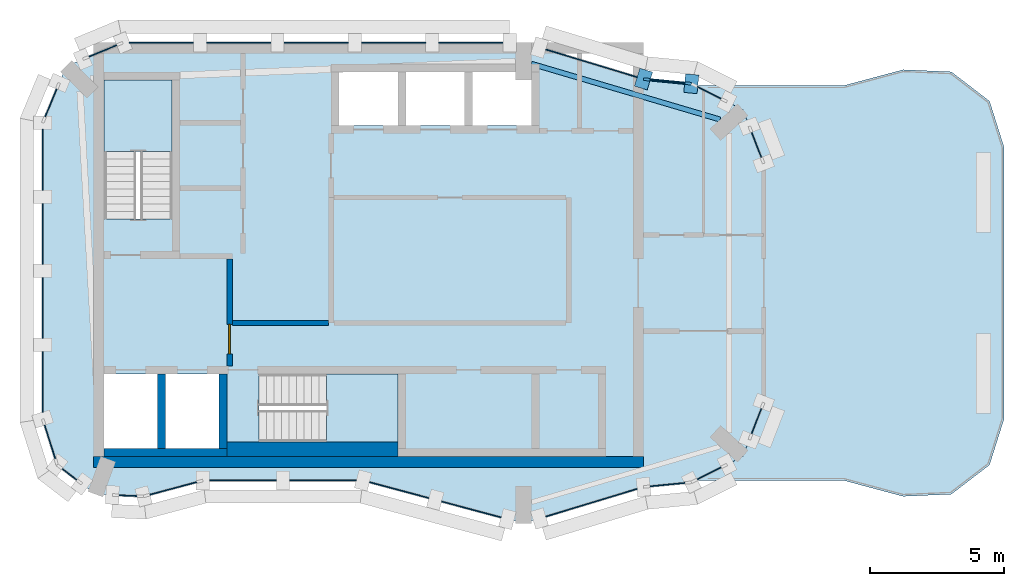
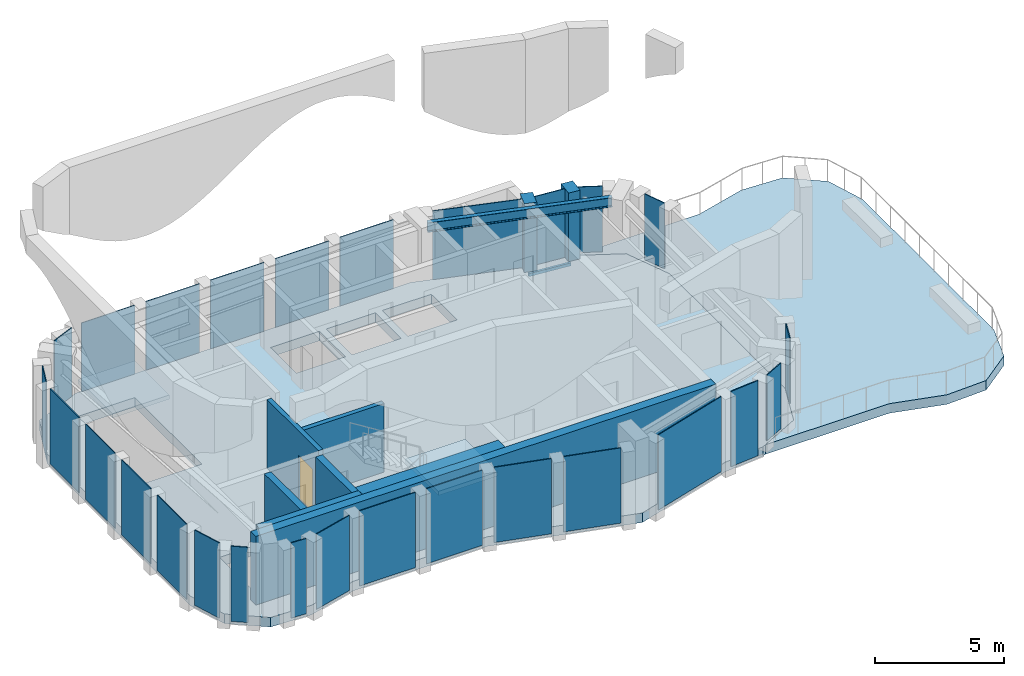
# One storey, part 2 of 7: 27 plates, 7 walls, 4 slabs, 3 members, 1 beam, 1 door, 1 opening, 20 elements without a shape of their own.
"""IFC4 building model written with IfcOpenShell, lengths in metres."""

from ifc_helpers import new_model, si_unit, direction, frame, frame_2d, origin, origin_2d, place, context, subcontext, project, spatial, polyline, rectangle, i_section, outline, extrude, material, layer, layer_set, material_profile, profile_set, type_object, element, fill, aggregate, save


model = new_model("IFC4")

# Units and contexts
model_context = context("Model", 3, precision=1e-05, world=origin(), true_north=direction((0.0, 1.0)))
body_context = subcontext(model_context, "Body", "Model", "MODEL_VIEW")
ifc_project = project(units=[si_unit("LENGTHUNIT", "METRE"), si_unit("AREAUNIT", "SQUARE_METRE"), si_unit("VOLUMEUNIT", "CUBIC_METRE"), si_unit("PLANEANGLEUNIT", "RADIAN"), si_unit("MASSUNIT", "GRAM", prefix="KILO")], contexts=[model_context])

# Site, building, storey
site_placement = place(None, origin())
site = spatial("IfcSite", under=ifc_project, at=site_placement, CompositionType="ELEMENT")
building_placement = place(site_placement, origin())
building = spatial("IfcBuilding", under=site, at=building_placement, Name="Plateau Cross Towers", CompositionType="ELEMENT")
storey_placement = place(building_placement, frame((0.0, 0.0, 301.89990234375)))
storey = spatial("IfcBuildingStorey", under=building, at=storey_placement, Name="L80 Crown 3", CompositionType="ELEMENT", Elevation=301.89990234375)

# Beam
ifc_material_1 = material(Name="Steel S355", Category="steel")
ifc_material_profile_1 = material_profile(ifc_material_1, i_section(OverallWidth=0.18994140625, OverallDepth=0.453369140625, WebThickness=0.008544921875, FlangeThickness=0.0126953125, FilletRadius=0.01025390625, at=origin_2d()), Name="UB 457x191x67")
ifc_profile_set_1 = profile_set([ifc_material_profile_1], Name="Steel S355")
beam_type = type_object("IfcBeamType", Name="Crown ring beam UB 457x191x67", PredefinedType="BEAM", material=ifc_profile_set_1)
beam_placement = place(storey_placement, frame((25.366455078125, 15.122314453125, 3.0234375), z_axis=(-0.958969404993, 0.283509577064, 0.0), x_axis=(-0.283509577064, -0.958969404993, 0.0)))
element("IfcBeam", 1, at=beam_placement, inside=storey, type_object=beam_type, Name="CRB-L80 Crown 3-03", PredefinedType="BEAM", context=body_context, shape_type="SweptSolid", body=[
    extrude(i_section(OverallWidth=0.18994140625, OverallDepth=0.453369140625, WebThickness=0.008544921875, FlangeThickness=0.0126953125, FilletRadius=0.01025390625, at=origin_2d()), origin(), (0.0, 0.0, 1.0), 7.36865234375),
])

# Curtain wall, member
ifc_material_2 = material(Name="Dark low-iron glass", Category="glass")
ifc_layer_1 = layer(ifc_material_2, 0.800048828125)
ifc_layer_set_1 = layer_set([ifc_layer_1], Name="Dark low-iron glass")
curtain_wall_type = type_object("IfcCurtainWallType", Name="Curtain wall sky lounge CW-D", PredefinedType="NOTDEFINED", material=ifc_layer_set_1)
curtain_wall_1_placement = place(storey_placement, origin())
curtain_wall_1 = element("IfcCurtainWall", 2, at=curtain_wall_1_placement, inside=storey, type_object=curtain_wall_type, Name="ENV/A/L80 Crown 3/A243_165", PredefinedType="NOTDEFINED")
ifc_material_3 = material(Name="Black anodised aluminium", Category="aluminium")
ifc_material_profile_2 = material_profile(ifc_material_3, rectangle(XDim=0.5, YDim=0.699951171875, at=origin_2d()), Name="MULLION 500x700")
ifc_profile_set_2 = profile_set([ifc_material_profile_2], Name="Black anodised aluminium")
member_type_1 = type_object("IfcMemberType", Name="Mullion 500x700 sky lounge", PredefinedType="MULLION", material=ifc_profile_set_2)
member_1_placement = place(storey_placement, frame((24.289794921875, 16.463134765625, -0.449951171875), z_axis=(0.0, 0.0, 1.0), x_axis=(-0.995322680406, 0.096606220658, 0.0)))
member_1 = element("IfcMember", 3, at=member_1_placement, type_object=member_type_1, Name="CW-D mullion 1", PredefinedType="MULLION", context=body_context, shape_type="SweptSolid", body=[
    extrude(rectangle(XDim=0.5, YDim=0.699951171875, at=origin_2d()), origin(), (0.0, 0.0, 1.0), 3.699951171875),
])

curtain_wall_2_placement = place(storey_placement, origin())
curtain_wall_2 = element("IfcCurtainWall", 4, at=curtain_wall_2_placement, inside=storey, type_object=curtain_wall_type, Name="ENV/A/L80 Crown 3/A225_166", PredefinedType="NOTDEFINED")
member_2_placement = place(storey_placement, frame((22.5, 16.63671875, -0.449951171875), z_axis=(0.0, 0.0, 1.0), x_axis=(-0.957048328724, 0.289928433386, 0.0)))
member_2 = element("IfcMember", 5, at=member_2_placement, type_object=member_type_1, Name="CW-D mullion 1", PredefinedType="MULLION", context=body_context, shape_type="SweptSolid", body=[
    extrude(rectangle(XDim=0.5, YDim=0.699951171875, at=origin_2d()), origin(), (0.0, 0.0, 1.0), 3.699951171875),
])

# Member
ifc_material_profile_3 = material_profile(ifc_material_3, rectangle(XDim=0.10009765625, YDim=0.139892578125, at=origin_2d()), Name="TRANSOM 100x140")
ifc_profile_set_3 = profile_set([ifc_material_profile_3], Name="Black anodised aluminium")
member_type_2 = type_object("IfcMemberType", Name="Transom 100x140 sky lounge", PredefinedType="USERDEFINED", material=ifc_profile_set_3)
member_3_placement = place(storey_placement, frame((24.289794921875, 16.463134765625, -0.3798828125), z_axis=(-0.995329836219, 0.096532466724, 0.0), x_axis=(-0.096532466724, -0.995329836219, 0.0)))
member_3 = element("IfcMember", 6, at=member_3_placement, type_object=member_type_2, Name="CW-D transom", ObjectType="TRANSOM", PredefinedType="USERDEFINED", context=body_context, shape_type="SweptSolid", body=[
    extrude(rectangle(XDim=0.10009765625, YDim=0.139892578125, at=origin_2d()), origin(), (0.0, 0.0, 1.0), 1.798095703125),
])

# Curtain wall, plate
curtain_wall_3_placement = place(storey_placement, origin())
curtain_wall_3 = element("IfcCurtainWall", 7, at=curtain_wall_3_placement, inside=storey, type_object=curtain_wall_type, Name="ENV/A/L80 Crown 3/A38_10", PredefinedType="NOTDEFINED")
ifc_layer_2 = layer(ifc_material_2, 0.0400390625)
ifc_layer_set_2 = layer_set([ifc_layer_2], Name="Dark low-iron glass")
plate_type = type_object("IfcPlateType", Name="Glass panel 40 sky lounge", PredefinedType="CURTAIN_PANEL", material=ifc_layer_set_2)
plate_1_placement = place(storey_placement, frame((4.887939453125, 1.30908203125, -0.309814453125), z_axis=(0.0, 0.0, 1.0), x_axis=(0.965957962328, 0.258699081978, 0.0)))
plate_1 = element("IfcPlate", 8, at=plate_1_placement, type_object=plate_type, Name="CW-D panel 1", PredefinedType="CURTAIN_PANEL", context=body_context, shape_type="SweptSolid", body=[
    extrude(rectangle(XDim=1.80224609375, YDim=0.0400390625, at=origin_2d()), origin(), (0.0, 0.0, 1.0), 3.56005859375),
])
aggregate(curtain_wall_3, [plate_1])

# Curtain wall, plates
curtain_wall_4_placement = place(storey_placement, origin())
curtain_wall_4 = element("IfcCurtainWall", 9, at=curtain_wall_4_placement, inside=storey, type_object=curtain_wall_type, Name="ENV/A/L80 Crown 3/A60_16", PredefinedType="NOTDEFINED")
plate_2_placement = place(storey_placement, frame((7.5, 1.60693359375, -0.309814453125), z_axis=(0.0, 0.0, 1.0), x_axis=(1.0, 0.0, 0.0)))
plate_2 = element("IfcPlate", 10, at=plate_2_placement, type_object=plate_type, Name="CW-D panel 1", PredefinedType="CURTAIN_PANEL", context=body_context, shape_type="SweptSolid", body=[
    extrude(rectangle(XDim=2.5, YDim=0.0400390625, at=origin_2d()), origin(), (0.0, 0.0, 1.0), 3.56005859375),
])
plate_3_placement = place(storey_placement, frame((10.5, 1.60693359375, -0.309814453125), z_axis=(0.0, 0.0, 1.0), x_axis=(1.0, 0.0, 0.0)))
plate_3 = element("IfcPlate", 11, at=plate_3_placement, type_object=plate_type, Name="CW-D panel 2", PredefinedType="CURTAIN_PANEL", context=body_context, shape_type="SweptSolid", body=[
    extrude(rectangle(XDim=2.5, YDim=0.0400390625, at=origin_2d()), origin(), (0.0, 0.0, 1.0), 3.56005859375),
])
aggregate(curtain_wall_4, [plate_2, plate_3])

curtain_wall_5_placement = place(storey_placement, origin())
curtain_wall_5 = element("IfcCurtainWall", 12, at=curtain_wall_5_placement, inside=storey, type_object=curtain_wall_type, Name="ENV/A/L80 Crown 3/A120_16", PredefinedType="NOTDEFINED")
plate_4_placement = place(storey_placement, frame((13.350830078125, 1.2451171875, -0.309814453125), z_axis=(0.0, 0.0, 1.0), x_axis=(0.965957983404, -0.258699003279, 0.0)))
plate_4 = element("IfcPlate", 13, at=plate_4_placement, type_object=plate_type, Name="CW-D panel 1", PredefinedType="CURTAIN_PANEL", context=body_context, shape_type="SweptSolid", body=[
    extrude(rectangle(XDim=2.296875, YDim=0.0400390625, at=origin_2d()), origin(), (0.0, 0.0, 1.0), 3.56005859375),
])
plate_5_placement = place(storey_placement, frame((16.05224609375, 0.521728515625, -0.309814453125), z_axis=(0.0, 0.0, 1.0), x_axis=(0.965957983404, -0.258699003279, 0.0)))
plate_5 = element("IfcPlate", 14, at=plate_5_placement, type_object=plate_type, Name="CW-D panel 2", PredefinedType="CURTAIN_PANEL", context=body_context, shape_type="SweptSolid", body=[
    extrude(rectangle(XDim=2.296875, YDim=0.0400390625, at=origin_2d()), origin(), (0.0, 0.0, 1.0), 3.56005859375),
])
aggregate(curtain_wall_5, [plate_4, plate_5])

# Curtain wall, plate
curtain_wall_6_placement = place(storey_placement, origin())
curtain_wall_6 = element("IfcCurtainWall", 15, at=curtain_wall_6_placement, inside=storey, type_object=curtain_wall_type, Name="ENV/A/L80 Crown 3/A186_2", PredefinedType="NOTDEFINED")
plate_6_placement = place(storey_placement, frame((20.552734375, 0.7734375, -0.309814453125), z_axis=(0.0, 0.0, 1.0), x_axis=(0.957048328724, 0.289928433386, 0.0)))
plate_6 = element("IfcPlate", 16, at=plate_6_placement, type_object=plate_type, Name="CW-D panel 1", PredefinedType="CURTAIN_PANEL", context=body_context, shape_type="SweptSolid", body=[
    extrude(rectangle(XDim=3.5693359375, YDim=0.0400390625, at=origin_2d()), origin(), (0.0, 0.0, 1.0), 3.56005859375),
])
aggregate(curtain_wall_6, [plate_6])

curtain_wall_7_placement = place(storey_placement, origin())
curtain_wall_7 = element("IfcCurtainWall", 17, at=curtain_wall_7_placement, inside=storey, type_object=curtain_wall_type, Name="ENV/A/L80 Crown 3/A225_14", PredefinedType="NOTDEFINED")
plate_7_placement = place(storey_placement, frame((23.39501953125, 1.4501953125, -0.309814453125), z_axis=(0.0, 0.0, 1.0), x_axis=(0.995322680406, 0.096606220658, 0.0)))
plate_7 = element("IfcPlate", 18, at=plate_7_placement, type_object=plate_type, Name="CW-D panel 1", PredefinedType="CURTAIN_PANEL", context=body_context, shape_type="SweptSolid", body=[
    extrude(rectangle(XDim=1.29833984375, YDim=0.0400390625, at=origin_2d()), origin(), (0.0, 0.0, 1.0), 3.56005859375),
])
aggregate(curtain_wall_7, [plate_7])

curtain_wall_8_placement = place(storey_placement, origin())
curtain_wall_8 = element("IfcCurtainWall", 19, at=curtain_wall_8_placement, inside=storey, type_object=curtain_wall_type, Name="ENV/A/L80 Crown 3/A243_15", PredefinedType="NOTDEFINED")
plate_8_placement = place(storey_placement, frame((24.956787109375, 1.871826171875, 0.14013671875), z_axis=(0.0, 0.0, 1.0), x_axis=(0.893702121293, 0.448660805505, 0.0)))
plate_8 = element("IfcPlate", 20, at=plate_8_placement, type_object=plate_type, Name="CW-D panel 1", PredefinedType="CURTAIN_PANEL", context=body_context, shape_type="SweptSolid", body=[
    extrude(rectangle(XDim=0.992431640625, YDim=0.0400390625, at=origin_2d()), origin(), (0.0, 0.0, 1.0), 3.110107421875),
])
aggregate(curtain_wall_8, [plate_8])

curtain_wall_9_placement = place(storey_placement, origin())
curtain_wall_9 = element("IfcCurtainWall", 21, at=curtain_wall_9_placement, inside=storey, type_object=curtain_wall_type, Name="ENV/A/L80 Crown 3/A265_31", PredefinedType="NOTDEFINED")
plate_9_placement = place(storey_placement, frame((26.731201171875, 3.82666015625, 0.14013671875), z_axis=(0.0, 0.0, 1.0), x_axis=(0.360225826244, 0.932865131789, 0.0)))
plate_9 = element("IfcPlate", 22, at=plate_9_placement, type_object=plate_type, Name="CW-D panel 1", PredefinedType="CURTAIN_PANEL", context=body_context, shape_type="SweptSolid", body=[
    extrude(rectangle(XDim=0.992431640625, YDim=0.0400390625, at=origin_2d()), origin(), (0.0, 0.0, 1.0), 3.110107421875),
])
aggregate(curtain_wall_9, [plate_9])

curtain_wall_10_placement = place(storey_placement, origin())
curtain_wall_10 = element("IfcCurtainWall", 23, at=curtain_wall_10_placement, inside=storey, type_object=curtain_wall_type, Name="ENV/A/L80 Crown 3/A270_135", PredefinedType="NOTDEFINED")
plate_10_placement = place(storey_placement, frame((26.731201171875, 14.17333984375, 0.14013671875), z_axis=(0.0, 0.0, 1.0), x_axis=(-0.360225826244, 0.932865131789, 0.0)))
plate_10 = element("IfcPlate", 24, at=plate_10_placement, type_object=plate_type, Name="CW-D panel 1", PredefinedType="CURTAIN_PANEL", context=body_context, shape_type="SweptSolid", body=[
    extrude(rectangle(XDim=0.992431640625, YDim=0.0400390625, at=origin_2d()), origin(), (0.0, 0.0, 1.0), 3.110107421875),
])
aggregate(curtain_wall_10, [plate_10])

curtain_wall_11_placement = place(storey_placement, origin())
curtain_wall_11 = element("IfcCurtainWall", 25, at=curtain_wall_11_placement, inside=storey, type_object=curtain_wall_type, Name="ENV/A/L80 Crown 3/A256_158", PredefinedType="NOTDEFINED")
plate_11_placement = place(storey_placement, frame((24.956787109375, 16.128173828125, 0.14013671875), z_axis=(0.0, 0.0, 1.0), x_axis=(-0.893702121293, 0.448660805505, 0.0)))
plate_11 = element("IfcPlate", 26, at=plate_11_placement, type_object=plate_type, Name="CW-D panel 1", PredefinedType="CURTAIN_PANEL", context=body_context, shape_type="SweptSolid", body=[
    extrude(rectangle(XDim=0.992431640625, YDim=0.0400390625, at=origin_2d()), origin(), (0.0, 0.0, 1.0), 3.110107421875),
])
aggregate(curtain_wall_11, [plate_11])

# Plate
plate_12_placement = place(storey_placement, frame((23.39501953125, 16.5498046875, -0.309814453125), z_axis=(0.0, 0.0, 1.0), x_axis=(-0.995322680406, 0.096606220658, 0.0)))
plate_12 = element("IfcPlate", 27, at=plate_12_placement, type_object=plate_type, Name="CW-D panel 1", PredefinedType="CURTAIN_PANEL", context=body_context, shape_type="SweptSolid", body=[
    extrude(rectangle(XDim=1.29833984375, YDim=0.0400390625, at=origin_2d()), origin(), (0.0, 0.0, 1.0), 3.56005859375),
])

aggregate(curtain_wall_1, [member_1, member_3, plate_12])

plate_13_placement = place(storey_placement, frame((20.552734375, 17.2265625, -0.309814453125), z_axis=(0.0, 0.0, 1.0), x_axis=(-0.957048328724, 0.289928433386, 0.0)))
plate_13 = element("IfcPlate", 28, at=plate_13_placement, type_object=plate_type, Name="CW-D panel 1", PredefinedType="CURTAIN_PANEL", context=body_context, shape_type="SweptSolid", body=[
    extrude(rectangle(XDim=3.5693359375, YDim=0.0400390625, at=origin_2d()), origin(), (0.0, 0.0, 1.0), 3.56005859375),
])

aggregate(curtain_wall_2, [member_2, plate_13])

# Curtain wall, plates
curtain_wall_12_placement = place(storey_placement, origin())
curtain_wall_12 = element("IfcCurtainWall", 29, at=curtain_wall_12_placement, inside=storey, type_object=curtain_wall_type, Name="ENV/A/L80 Crown 3/A175_180", PredefinedType="NOTDEFINED")
plate_14_placement = place(storey_placement, frame((16.03662109375, 18.0, -0.309814453125), z_axis=(0.0, 0.0, 1.0), x_axis=(-1.0, 0.0, 0.0)))
plate_14 = element("IfcPlate", 30, at=plate_14_placement, type_object=plate_type, Name="CW-D panel 1", PredefinedType="CURTAIN_PANEL", context=body_context, shape_type="SweptSolid", body=[
    extrude(rectangle(XDim=2.39697265625, YDim=0.0400390625, at=origin_2d()), origin(), (0.0, 0.0, 1.0), 3.56005859375),
])
plate_15_placement = place(storey_placement, frame((13.139404296875, 18.0, -0.309814453125), z_axis=(0.0, 0.0, 1.0), x_axis=(-1.0, 0.0, 0.0)))
plate_15 = element("IfcPlate", 31, at=plate_15_placement, type_object=plate_type, Name="CW-D panel 2", PredefinedType="CURTAIN_PANEL", context=body_context, shape_type="SweptSolid", body=[
    extrude(rectangle(XDim=2.39697265625, YDim=0.0400390625, at=origin_2d()), origin(), (0.0, 0.0, 1.0), 3.56005859375),
])
plate_16_placement = place(storey_placement, frame((10.242431640625, 18.0, -0.309814453125), z_axis=(0.0, 0.0, 1.0), x_axis=(-1.0, 0.0, 0.0)))
plate_16 = element("IfcPlate", 32, at=plate_16_placement, type_object=plate_type, Name="CW-D panel 3", PredefinedType="CURTAIN_PANEL", context=body_context, shape_type="SweptSolid", body=[
    extrude(rectangle(XDim=2.39697265625, YDim=0.0400390625, at=origin_2d()), origin(), (0.0, 0.0, 1.0), 3.56005859375),
])
plate_17_placement = place(storey_placement, frame((7.345458984375, 18.0, -0.309814453125), z_axis=(0.0, 0.0, 1.0), x_axis=(-1.0, 0.0, 0.0)))
plate_17 = element("IfcPlate", 33, at=plate_17_placement, type_object=plate_type, Name="CW-D panel 4", PredefinedType="CURTAIN_PANEL", context=body_context, shape_type="SweptSolid", body=[
    extrude(rectangle(XDim=2.39697265625, YDim=0.0400390625, at=origin_2d()), origin(), (0.0, 0.0, 1.0), 3.56005859375),
])
plate_18_placement = place(storey_placement, frame((4.448486328125, 18.0, -0.309814453125), z_axis=(0.0, 0.0, 1.0), x_axis=(-1.0, 0.0, 0.0)))
plate_18 = element("IfcPlate", 34, at=plate_18_placement, type_object=plate_type, Name="CW-D panel 5", PredefinedType="CURTAIN_PANEL", context=body_context, shape_type="SweptSolid", body=[
    extrude(rectangle(XDim=2.39697265625, YDim=0.0400390625, at=origin_2d()), origin(), (0.0, 0.0, 1.0), 3.56005859375),
])
aggregate(curtain_wall_12, [plate_14, plate_15, plate_16, plate_17, plate_18])

# Curtain wall, plate
curtain_wall_13_placement = place(storey_placement, origin())
curtain_wall_13 = element("IfcCurtainWall", 35, at=curtain_wall_13_placement, inside=storey, type_object=curtain_wall_type, Name="ENV/A/L80 Crown 3/A30_180", PredefinedType="NOTDEFINED")
plate_19_placement = place(storey_placement, frame((2.254150390625, 17.69091796875, -0.309814453125), z_axis=(0.0, 0.0, 1.0), x_axis=(-0.923879457699, -0.382683612978, 0.0)))
plate_19 = element("IfcPlate", 36, at=plate_19_placement, type_object=plate_type, Name="CW-D panel 1", PredefinedType="CURTAIN_PANEL", context=body_context, shape_type="SweptSolid", body=[
    extrude(rectangle(XDim=1.11474609375, YDim=0.0400390625, at=origin_2d()), origin(), (0.0, 0.0, 1.0), 3.56005859375),
])
aggregate(curtain_wall_13, [plate_19])

curtain_wall_14_placement = place(storey_placement, origin())
curtain_wall_14 = element("IfcCurtainWall", 37, at=curtain_wall_14_placement, inside=storey, type_object=curtain_wall_type, Name="ENV/A/L80 Crown 3/A6_165", PredefinedType="NOTDEFINED")
plate_20_placement = place(storey_placement, frame((0.30908203125, 15.745849609375, -0.309814453125), z_axis=(0.0, 0.0, 1.0), x_axis=(-0.382683612978, -0.923879457699, 0.0)))
plate_20 = element("IfcPlate", 38, at=plate_20_placement, type_object=plate_type, Name="CW-D panel 1", PredefinedType="CURTAIN_PANEL", context=body_context, shape_type="SweptSolid", body=[
    extrude(rectangle(XDim=1.11474609375, YDim=0.0400390625, at=origin_2d()), origin(), (0.0, 0.0, 1.0), 3.56005859375),
])
aggregate(curtain_wall_14, [plate_20])

# Curtain wall, plates
curtain_wall_15_placement = place(storey_placement, origin())
curtain_wall_15 = element("IfcCurtainWall", 39, at=curtain_wall_15_placement, inside=storey, type_object=curtain_wall_type, Name="ENV/A/L80 Crown 3/A0_150", PredefinedType="NOTDEFINED")
plate_21_placement = place(storey_placement, frame((0.0, 13.613525390625, -0.309814453125), z_axis=(0.0, 0.0, 1.0), x_axis=(0.0, -1.0, 0.0)))
plate_21 = element("IfcPlate", 40, at=plate_21_placement, type_object=plate_type, Name="CW-D panel 1", PredefinedType="CURTAIN_PANEL", context=body_context, shape_type="SweptSolid", body=[
    extrude(rectangle(XDim=2.272705078125, YDim=0.0400390625, at=origin_2d()), origin(), (0.0, 0.0, 1.0), 3.56005859375),
])
plate_22_placement = place(storey_placement, frame((0.0, 10.8408203125, -0.309814453125), z_axis=(0.0, 0.0, 1.0), x_axis=(0.0, -1.0, 0.0)))
plate_22 = element("IfcPlate", 41, at=plate_22_placement, type_object=plate_type, Name="CW-D panel 2", PredefinedType="CURTAIN_PANEL", context=body_context, shape_type="SweptSolid", body=[
    extrude(rectangle(XDim=2.272705078125, YDim=0.0400390625, at=origin_2d()), origin(), (0.0, 0.0, 1.0), 3.56005859375),
])
plate_23_placement = place(storey_placement, frame((0.0, 8.068115234375, -0.309814453125), z_axis=(0.0, 0.0, 1.0), x_axis=(0.0, -1.0, 0.0)))
plate_23 = element("IfcPlate", 42, at=plate_23_placement, type_object=plate_type, Name="CW-D panel 3", PredefinedType="CURTAIN_PANEL", context=body_context, shape_type="SweptSolid", body=[
    extrude(rectangle(XDim=2.272705078125, YDim=0.0400390625, at=origin_2d()), origin(), (0.0, 0.0, 1.0), 3.56005859375),
])
plate_24_placement = place(storey_placement, frame((0.0, 5.29541015625, -0.309814453125), z_axis=(0.0, 0.0, 1.0), x_axis=(0.0, -1.0, 0.0)))
plate_24 = element("IfcPlate", 43, at=plate_24_placement, type_object=plate_type, Name="CW-D panel 4", PredefinedType="CURTAIN_PANEL", context=body_context, shape_type="SweptSolid", body=[
    extrude(rectangle(XDim=2.272705078125, YDim=0.0400390625, at=origin_2d()), origin(), (0.0, 0.0, 1.0), 3.56005859375),
])
aggregate(curtain_wall_15, [plate_21, plate_22, plate_23, plate_24])

# Curtain wall, plate
curtain_wall_16_placement = place(storey_placement, origin())
curtain_wall_16 = element("IfcCurtainWall", 44, at=curtain_wall_16_placement, inside=storey, type_object=curtain_wall_type, Name="ENV/A/L80 Crown 3/A0_39", PredefinedType="NOTDEFINED")
plate_25_placement = place(storey_placement, frame((0.271240234375, 3.048828125, -0.309814453125), z_axis=(0.0, 0.0, 1.0), x_axis=(0.300686174994, -0.95372313811, 0.0)))
plate_25 = element("IfcPlate", 45, at=plate_25_placement, type_object=plate_type, Name="CW-D panel 1", PredefinedType="CURTAIN_PANEL", context=body_context, shape_type="SweptSolid", body=[
    extrude(rectangle(XDim=1.30419921875, YDim=0.0400390625, at=origin_2d()), origin(), (0.0, 0.0, 1.0), 3.56005859375),
])
aggregate(curtain_wall_16, [plate_25])

curtain_wall_17_placement = place(storey_placement, origin())
curtain_wall_17 = element("IfcCurtainWall", 46, at=curtain_wall_17_placement, inside=storey, type_object=curtain_wall_type, Name="ENV/A/L80 Crown 3/A5_22", PredefinedType="NOTDEFINED")
plate_26_placement = place(storey_placement, frame((1.005126953125, 1.83349609375, -0.309814453125), z_axis=(0.0, 0.0, 1.0), x_axis=(0.793315514529, -0.608810721331, 0.0)))
plate_26 = element("IfcPlate", 47, at=plate_26_placement, type_object=plate_type, Name="CW-D panel 1", PredefinedType="CURTAIN_PANEL", context=body_context, shape_type="SweptSolid", body=[
    extrude(rectangle(XDim=0.666259765625, YDim=0.0400390625, at=origin_2d()), origin(), (0.0, 0.0, 1.0), 3.56005859375),
])
aggregate(curtain_wall_17, [plate_26])

curtain_wall_18_placement = place(storey_placement, origin())
curtain_wall_18 = element("IfcCurtainWall", 48, at=curtain_wall_18_placement, inside=storey, type_object=curtain_wall_type, Name="ENV/A/L80 Crown 3/A26_11", PredefinedType="NOTDEFINED")
plate_27_placement = place(storey_placement, frame((3.193603515625, 1.036865234375, -0.309814453125), z_axis=(0.0, 0.0, 1.0), x_axis=(0.999043701491, -0.043722791671, 0.0)))
plate_27 = element("IfcPlate", 49, at=plate_27_placement, type_object=plate_type, Name="CW-D panel 1", PredefinedType="CURTAIN_PANEL", context=body_context, shape_type="SweptSolid", body=[
    extrude(rectangle(XDim=0.666259765625, YDim=0.0400390625, at=origin_2d()), origin(), (0.0, 0.0, 1.0), 3.56005859375),
])
aggregate(curtain_wall_18, [plate_27])

# Slabs
ifc_material_4 = material(Name="Concrete C40/50", Category="concrete")
ifc_layer_3 = layer(ifc_material_4, 0.449951171875)
ifc_layer_set_3 = layer_set([ifc_layer_3], Name="Concrete C40/50")
slab_type_1 = type_object("IfcSlabType", Name="Post-tensioned deck slab 450", PredefinedType="FLOOR", material=ifc_layer_set_3)
slab_1_placement = place(storey_placement, frame((0.0, 0.0, -0.449951171875)))
element("IfcSlab", 50, at=slab_1_placement, inside=storey, type_object=slab_type_1, Name="SL-A-terrace-3", PredefinedType="FLOOR", context=body_context, shape_type="SweptSolid", body=[
    extrude(outline(polyline([(34.0263671875, 16.909912109375), (35.45751953125, 15.8115234375), (36.0, 14.0908203125), (36.0, 3.9091796875), (35.45751953125, 2.1884765625), (34.0263671875, 1.090087890625), (32.223876953125, 1.01123046875), (30.0, 1.60693359375), (24.42919921875, 1.60693359375), (26.221435546875, 2.506591796875), (27.0, 4.52294921875), (27.0, 13.47705078125), (26.221435546875, 15.493408203125), (24.42919921875, 16.39306640625), (30.0, 16.39306640625), (32.223876953125, 16.98876953125), (34.0263671875, 16.909912109375)])), origin(), (0.0, 0.0, 1.0), 0.449951171875),
])
ifc_layer_4 = layer(ifc_material_4, 0.449951171875)
ifc_layer_set_4 = layer_set([ifc_layer_4], Name="Concrete C40/50")
slab_type_2 = type_object("IfcSlabType", Name="Post-tensioned flat plate slab 450", PredefinedType="FLOOR", material=ifc_layer_set_4)
slab_2_placement = place(storey_placement, frame((0.0, 0.0, -0.449951171875)))
element("IfcSlab", 51, at=slab_2_placement, inside=storey, type_object=slab_type_2, Name="SL-A-L80 Crown 3", PredefinedType="FLOOR", context=body_context, shape_type="SweptSolid", body=[
    extrude(outline(polyline([(1.9736328125, 1.090087890625), (0.54248046875, 2.1884765625), (0.0, 3.9091796875), (0.0, 15.0), (0.878662109375, 17.121337890625), (3.0, 18.0), (18.0, 18.0), (22.5, 16.63671875), (24.289794921875, 16.463134765625), (26.221435546875, 15.493408203125), (27.0, 13.47705078125), (27.0, 4.52294921875), (26.221435546875, 2.506591796875), (24.289794921875, 1.536865234375), (22.5, 1.36328125), (18.0, 0.0), (12.0, 1.60693359375), (6.0, 1.60693359375), (3.776123046875, 1.01123046875), (1.9736328125, 1.090087890625)]), holes=[polyline([(2.300048828125, 5.60009765625), (2.300048828125, 2.800048828125), (4.300048828125, 2.800048828125), (4.300048828125, 5.60009765625), (2.300048828125, 5.60009765625)]), polyline([(6.60009765625, 5.60009765625), (4.60009765625, 5.60009765625), (4.60009765625, 2.800048828125), (6.60009765625, 2.800048828125), (6.60009765625, 5.60009765625)]), polyline([(13.300048828125, 5.60009765625), (8.10009765625, 5.60009765625), (8.10009765625, 3.050048828125), (13.300048828125, 3.050048828125), (13.300048828125, 5.60009765625)]), polyline([(2.300048828125, 16.60009765625), (2.300048828125, 11.39990234375), (4.85009765625, 11.39990234375), (4.85009765625, 16.60009765625), (2.300048828125, 16.60009765625)]), polyline([(13.300048828125, 16.89990234375), (11.10009765625, 16.89990234375), (11.10009765625, 14.89990234375), (13.300048828125, 14.89990234375), (13.300048828125, 16.89990234375)]), polyline([(15.800048828125, 16.89990234375), (13.60009765625, 16.89990234375), (13.60009765625, 14.89990234375), (15.800048828125, 14.89990234375), (15.800048828125, 16.89990234375)]), polyline([(18.300048828125, 16.89990234375), (16.10009765625, 16.89990234375), (16.10009765625, 14.89990234375), (18.300048828125, 14.89990234375), (18.300048828125, 16.89990234375)])]), origin(), (0.0, 0.0, 1.0), 0.449951171875),
])

# Stair, slab
stair_type = type_object("IfcStairType", Name="ST-TWR", PredefinedType="HALF_TURN_STAIR", material=ifc_material_4)
stair_1_placement = place(storey_placement, origin())
stair_1 = element("IfcStair", 52, at=stair_1_placement, inside=storey, type_object=stair_type, Name="L80 Crown 3 Protected Exit Stair ST-1", PredefinedType="HALF_TURN_STAIR")
ifc_layer_5 = layer(ifc_material_4, 0.199951171875)
ifc_layer_set_5 = layer_set([ifc_layer_5], Name="Concrete C40/50")
slab_type_3 = type_object("IfcSlabType", Name="SL-LANDING", PredefinedType="LANDING", material=ifc_layer_set_5)
slab_3_placement = place(storey_placement, frame((0.0, 0.0, 1.550048828125)))
slab_3 = element("IfcSlab", 53, at=slab_3_placement, type_object=slab_type_3, Name="ST-1 landing 1", PredefinedType="LANDING", context=body_context, shape_type="SweptSolid", body=[
    extrude(outline(polyline([(4.85009765625, 13.919921875), (4.85009765625, 16.60009765625), (2.300048828125, 16.60009765625), (2.300048828125, 13.919921875), (4.85009765625, 13.919921875)])), origin(), (0.0, 0.0, 1.0), 0.199951171875),
])
aggregate(stair_1, [slab_3])

stair_2_placement = place(storey_placement, origin())
stair_2 = element("IfcStair", 54, at=stair_2_placement, inside=storey, type_object=stair_type, Name="L80 Crown 3 Protected Exit Stair ST-2", PredefinedType="HALF_TURN_STAIR")
slab_4_placement = place(storey_placement, frame((0.0, 0.0, 1.550048828125)))
slab_4 = element("IfcSlab", 55, at=slab_4_placement, type_object=slab_type_3, Name="ST-2 landing 1", PredefinedType="LANDING", context=body_context, shape_type="SweptSolid", body=[
    extrude(outline(polyline([(10.6201171875, 3.050048828125), (13.300048828125, 3.050048828125), (13.300048828125, 5.60009765625), (10.6201171875, 5.60009765625), (10.6201171875, 3.050048828125)])), origin(), (0.0, 0.0, 1.0), 0.199951171875),
])
aggregate(stair_2, [slab_4])

# Wall, opening, door
ifc_material_5 = material(Name="Concrete block, plastered both sides", Category="concrete")
ifc_layer_6 = layer(ifc_material_5, 0.199951171875)
ifc_layer_set_6 = layer_set([ifc_layer_6], Name="Concrete block, plastered both sides")
wall_type_1 = type_object("IfcWallType", Name="Core partition 200", PredefinedType="PARTITIONING", material=ifc_layer_set_6)
wall_1_placement = place(storey_placement, frame((7.0, 5.89990234375, 0.0), z_axis=(0.0, 0.0, 1.0), x_axis=(0.0, 1.0, 0.0)))
wall_1 = element("IfcWall", 56, at=wall_1_placement, inside=storey, type_object=wall_type_1, Name="Core partition", PredefinedType="PARTITIONING", context=body_context, shape_type="SweptSolid", body=[
    extrude(rectangle(XDim=4.0, YDim=0.199951171875, at=frame_2d((2.0, 0.0))), origin(), (0.0, 0.0, 1.0), 3.25),
])
opening_placement = place(wall_1_placement, frame((0.449951171875, 0.0, 0.0)))
opening = element("IfcOpeningElement", 57, at=opening_placement, cuts=wall_1, Name="Opening FFD", PredefinedType="OPENING", context=body_context, shape_type="SweptSolid", body=[
    extrude(rectangle(XDim=1.10009765625, YDim=2.10009765625, at=frame_2d((0.550048828125, 1.050048828125))), frame((0.0, 0.10986328125, 0.0), z_axis=(0.0, -1.0, 0.0), x_axis=(1.0, 0.0, 0.0)), (0.0, 0.0, 1.0), 0.219970703125),
])
ifc_material_6 = material(Name="Steel, fire-resisting leaf", Category="steel")
door_type = type_object("IfcDoorType", Name="Firefighting lobby door 1100", OperationType="NOTDEFINED", PredefinedType="DOOR", material=ifc_material_6)
door_placement = place(opening_placement, origin())
door = element("IfcDoor", 58, at=door_placement, inside=storey, type_object=door_type, Name="Firefighting lobby door FFD", OperationType="SINGLE_SWING_LEFT", OverallHeight=2.10009765625, OverallWidth=1.10009765625, PredefinedType="DOOR", context=body_context, shape_type="SweptSolid", body=[
    extrude(rectangle(XDim=1.10009765625, YDim=2.10009765625, at=frame_2d((0.550048828125, 1.050048828125))), frame((0.0, 0.02490234375, 0.0), z_axis=(0.0, -1.0, 0.0), x_axis=(1.0, 0.0, 0.0)), (0.0, 0.0, 1.0), 0.050048828125),
])
fill(opening, door)

# Walls
wall_2_placement = place(storey_placement, frame((7.10009765625, 7.5, 0.0), z_axis=(0.0, 0.0, 1.0), x_axis=(1.0, 0.0, 0.0)))
element("IfcWall", 59, at=wall_2_placement, inside=storey, type_object=wall_type_1, Name="Core partition", PredefinedType="PARTITIONING", context=body_context, shape_type="SweptSolid", body=[
    extrude(rectangle(XDim=3.599853515625, YDim=0.199951171875, at=frame_2d((1.7998046875, 0.0))), origin(), (0.0, 0.0, 1.0), 3.25),
])
ifc_material_7 = material(Name="Concrete C60/75", Category="concrete")
ifc_layer_7 = layer(ifc_material_7, 0.300048828125)
ifc_layer_set_7 = layer_set([ifc_layer_7], Name="Concrete C60/75")
wall_type_2 = type_object("IfcWallType", Name="Core shaft wall 300", PredefinedType="SHEAR", material=ifc_layer_set_7)
wall_3_placement = place(storey_placement, frame((2.300048828125, 2.64990234375, 0.0), z_axis=(0.0, 0.0, 1.0), x_axis=(1.0, 0.0, 0.0)))
element("IfcWall", 60, at=wall_3_placement, inside=storey, type_object=wall_type_2, Name="A-sb-back1@L80 Crown 3", PredefinedType="SHEAR", context=body_context, shape_type="SweptSolid", body=[
    extrude(rectangle(XDim=4.599853515625, YDim=0.300048828125, at=frame_2d((2.2998046875, 0.0))), origin(), (0.0, 0.0, 1.0), 3.25),
])
for number, where, z_axis, x_axis, name in (
    (61, (4.449951171875, 2.800048828125, 0.0), (0.0, 0.0, 1.0), (0.0, 1.0, 0.0), "A-sb-v1@L80 Crown 3"),
    (62, (6.75, 2.800048828125, 0.0), (0.0, 0.0, 1.0), (0.0, 1.0, 0.0), "A-sb-v2@L80 Crown 3"),
):
    element("IfcWall", number, at=place(storey_placement, frame(where, z_axis=z_axis, x_axis=x_axis)), inside=storey, type_object=wall_type_2, Name=name, PredefinedType="SHEAR", context=body_context, shape_type="SweptSolid", body=[
        extrude(rectangle(XDim=2.800048828125, YDim=0.300048828125, at=frame_2d((1.39990234375, 0.0))), origin(), (0.0, 0.0, 1.0), 3.25),
    ])
ifc_layer_8 = layer(ifc_material_7, 0.550048828125)
ifc_layer_set_8 = layer_set([ifc_layer_8], Name="Concrete C60/75")
wall_type_3 = type_object("IfcWallType", Name="Core shaft wall 550", PredefinedType="SHEAR", material=ifc_layer_set_8)
wall_4_placement = place(storey_placement, frame((6.89990234375, 2.77490234375, 0.0), z_axis=(0.0, 0.0, 1.0), x_axis=(1.0, 0.0, 0.0)))
element("IfcWall", 63, at=wall_4_placement, inside=storey, type_object=wall_type_3, Name="A-sb-back2@L80 Crown 3", PredefinedType="SHEAR", context=body_context, shape_type="SweptSolid", body=[
    extrude(rectangle(XDim=6.400146484375, YDim=0.550048828125, at=frame_2d((3.2001953125, 0.0))), origin(), (0.0, 0.0, 1.0), 3.25),
])
ifc_layer_9 = layer(ifc_material_7, 0.39990234375)
ifc_layer_set_9 = layer_set([ifc_layer_9], Name="Concrete C60/75")
wall_type_4 = type_object("IfcWallType", Name="Core shell wall 400", PredefinedType="SHEAR", material=ifc_layer_set_9)
wall_5_placement = place(storey_placement, frame((1.89990234375, 2.300048828125, 0.0), z_axis=(0.0, 0.0, 1.0), x_axis=(1.0, 0.0, 0.0)))
element("IfcWall", 64, at=wall_5_placement, inside=storey, type_object=wall_type_4, Name="A-core-S@L80 Crown 3", PredefinedType="SHEAR", context=body_context, shape_type="SweptSolid", body=[
    extrude(rectangle(XDim=20.60009765625, YDim=0.39990234375, at=frame_2d((10.300048828125, 0.0))), origin(), (0.0, 0.0, 1.0), 3.25),
])

save(model, "model.ifc")
